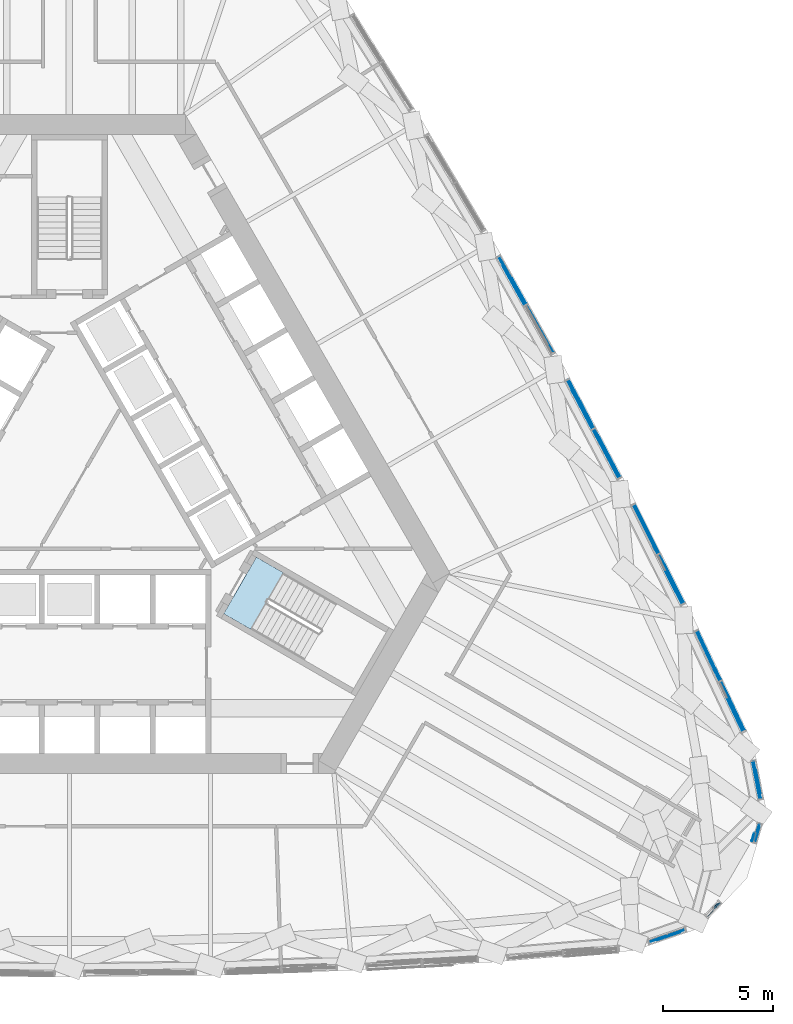
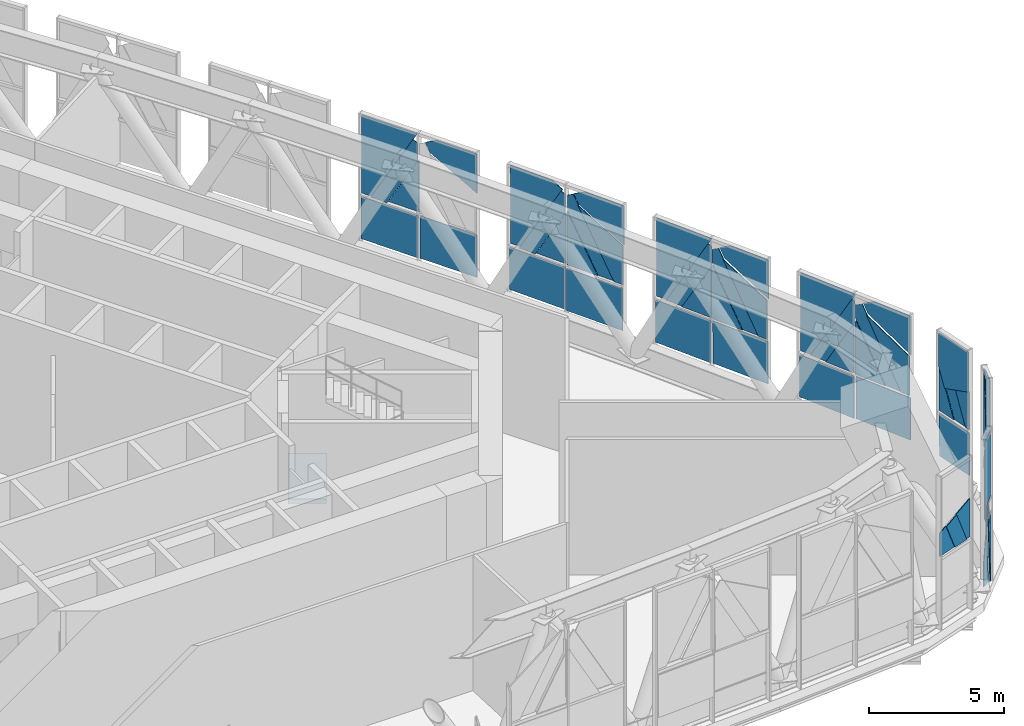
# One storey, part 15 of 33: 48 plates, 1 slab, 3 elements without a shape of their own.
"""IFC4 building model written with IfcOpenShell, lengths in metres."""

from ifc_helpers import new_model, si_unit, direction, frame, origin, place, context, subcontext, project, spatial, polyline, outline, extrude, material, layer, layer_set, type_object, element, aggregate, save


model = new_model("IFC4")

# Units and contexts
model_context = context("Model", 3, precision=1e-05, world=origin(), true_north=direction((0.0, 1.0)))
body_context = subcontext(model_context, "Body", "Model", "MODEL_VIEW")
ifc_project = project(units=[si_unit("LENGTHUNIT", "METRE"), si_unit("AREAUNIT", "SQUARE_METRE"), si_unit("VOLUMEUNIT", "CUBIC_METRE"), si_unit("PLANEANGLEUNIT", "RADIAN"), si_unit("MASSUNIT", "GRAM", prefix="KILO")], contexts=[model_context])

# Site, building, storey
site_placement = place(None, origin())
site = spatial("IfcSite", under=ifc_project, at=site_placement, CompositionType="ELEMENT")
building_placement = place(site_placement, origin())
building = spatial("IfcBuilding", under=site, at=building_placement, Name="Mestral Congress Tower", CompositionType="ELEMENT")
storey_placement = place(building_placement, frame((0.0, 0.0, 134.39990234375)))
storey = spatial("IfcBuildingStorey", under=building, at=storey_placement, Name="L32", CompositionType="ELEMENT", Elevation=134.39990234375)

# Stair, slab
ifc_material_1 = material(Name="Concrete C60/75", Category="concrete")
stair_type = type_object("IfcStairType", Name="Exit stair 1400", PredefinedType="HALF_TURN_STAIR", material=ifc_material_1)
placement = place(storey_placement, origin())
stair = element("IfcStair", 1, at=placement, inside=storey, type_object=stair_type, Name="L32 ST1", PredefinedType="HALF_TURN_STAIR")
ifc_layer_1 = layer(ifc_material_1, 0.199951171875)
ifc_layer_set_1 = layer_set([ifc_layer_1], Name="Concrete C60/75")
slab_type = type_object("IfcSlabType", Name="Exit stair landing 200", PredefinedType="LANDING", material=ifc_layer_set_1)
slab_placement = place(storey_placement, frame((0.0, 0.0, 3.400146484375)))
slab = element("IfcSlab", 2, at=slab_placement, type_object=slab_type, Name="ST1 landing 2", PredefinedType="LANDING", context=body_context, shape_type="SweptSolid", body=[
    extrude(outline(polyline([(6.999755859375, -5.756103515625), (8.48486328125, -3.18408203125), (9.714599609375, -3.89404296875), (8.2294921875, -6.466064453125), (6.999755859375, -5.756103515625)])), origin(), (0.0, 0.0, 1.0), 0.199951171875),
])
aggregate(stair, [slab])

# Curtain wall, plates
ifc_material_2 = material(Name="Clear low-emissivity double glazing", Category="glass")
curtain_wall_type = type_object("IfcCurtainWallType", Name="Facade sky lobby curtain wall", PredefinedType="USERDEFINED", material=ifc_material_2)
curtain_wall_1 = element("IfcCurtainWall", 3, at=placement, inside=storey, type_object=curtain_wall_type, Name="Facade sky lobby curtain wall face 2", ObjectType="CURTAIN WALL", PredefinedType="USERDEFINED")
ifc_material_3 = material(Name="Anodised aluminium", Category="aluminium")
ifc_layer_2 = layer(ifc_material_3, 0.031982421875)
ifc_layer_set_2 = layer_set([ifc_layer_2], Name="Anodised aluminium")
plate_type_1 = type_object("IfcPlateType", Name="Facade sky lobby curtain wall brace cover panel", PredefinedType="CURTAIN_PANEL", material=ifc_layer_set_2)
plate_1_placement = place(storey_placement, frame((29.58203125, -8.82666015625, 3.130126953125), z_axis=(0.904012273017, 0.427501720074, 0.00202226822), x_axis=(0.001832754022, 0.000854808154, -0.999997955156)))
plate_1 = element("IfcPlate", 4, at=plate_1_placement, type_object=plate_type_1, Name="Facade sky lobby curtain wall brace cover panel", PredefinedType="CURTAIN_PANEL", context=body_context, shape_type="SweptSolid", body=[
    extrude(outline(polyline([(0.0, 0.0), (1.917973000652127, 3.1848438816761693e-19), (1.9179991500947662, -2.463436402574981), (2.6805585748710574e-05, -2.4633200667458257), (0.0, 0.0)])), origin(), (0.0, 0.0, -1.0), 0.031982421875),
])
plate_2_placement = place(storey_placement, frame((29.546630859375, -8.843505859375, 5.8193359375), z_axis=(0.904035428233, 0.427452726431, 0.002027601035), x_axis=(0.204424364394, -0.428169040538, -0.880273793752)))
plate_2 = element("IfcPlate", 5, at=plate_2_placement, type_object=plate_type_1, Name="Facade sky lobby curtain wall brace cover panel", PredefinedType="CURTAIN_PANEL", context=body_context, shape_type="SweptSolid", body=[
    extrude(outline(polyline([(0.0, 0.0), (2.8960494616475456, 2.220446049250313e-16), (3.2312455428984252, -0.6218927000549939), (-0.501415098657956, -0.6216424874584308), (-0.5013769824707055, -0.27026611872248407), (0.0, 0.0)])), origin(), (0.0, 0.0, -1.0), 0.031982421875),
])
plate_3_placement = place(storey_placement, frame((28.47265625, -6.56005859375, 3.130126953125), z_axis=(0.903993225178, 0.427542265353, 0.0019647314), x_axis=(0.001757475171, 0.000879403016, -0.999998068964)))
plate_3 = element("IfcPlate", 6, at=plate_3_placement, type_object=plate_type_1, Name="Facade sky lobby curtain wall brace cover panel", PredefinedType="CURTAIN_PANEL", context=body_context, shape_type="SweptSolid", body=[
    extrude(outline(polyline([(0.0, 0.0), (1.9179725562141692, 1.4907779871675686e-19), (1.9178650937079167, -2.4635407712543613), (-0.00010724780825057431, -2.463320069366543), (0.0, 0.0)])), origin(), (0.0, 0.0, -1.0), 0.031982421875),
])
plate_4_placement = place(storey_placement, frame((29.55029296875, -8.775390625, 6.498046875), z_axis=(0.903970060649, 0.427590768048, 0.002065073741), x_axis=(-0.372148915846, 0.784363647374, 0.496264902158)))
plate_4 = element("IfcPlate", 7, at=plate_4_placement, type_object=plate_type_1, Name="Facade sky lobby curtain wall brace cover panel", PredefinedType="CURTAIN_PANEL", context=body_context, shape_type="SweptSolid", body=[
    extrude(outline(polyline([(0.0, 0.0), (0.12692418301839634, 0.0), (0.13341377273666222, -3.7944653509273927), (-0.48864766424293604, -3.438880983909674), (-0.49295449795346646, -0.8624734616305079), (0.0, 0.0)])), origin(), (0.0, 0.0, -1.0), 0.031982421875),
])
plate_5_placement = place(storey_placement, frame((26.774658203125, -3.0634765625, 3.130126953125), z_axis=(0.893779288393, 0.448502247698, 0.002077847065), x_axis=(0.001807403233, 0.001031038292, -0.999997835124)))
plate_5 = element("IfcPlate", 8, at=plate_5_placement, type_object=plate_type_1, Name="Facade sky lobby curtain wall brace cover panel", PredefinedType="CURTAIN_PANEL", context=body_context, shape_type="SweptSolid", body=[
    extrude(outline(polyline([(0.0, 0.0), (1.9179727892307874, 2.439454888092385e-19), (1.9177000599141838, -2.460332495814197), (-0.0002729188588254817, -2.460004789630587), (0.0, 0.0)])), origin(), (0.0, 0.0, -1.0), 0.031982421875),
])
plate_6_placement = place(storey_placement, frame((26.739501953125, -3.0810546875, 5.773681640625), z_axis=(0.893730589679, 0.448599796666, 0.001963543744), x_axis=(0.216014422745, -0.426514020309, -0.878307212566)))
plate_6 = element("IfcPlate", 9, at=plate_6_placement, type_object=plate_type_1, Name="Facade sky lobby curtain wall brace cover panel", PredefinedType="CURTAIN_PANEL", context=body_context, shape_type="SweptSolid", body=[
    extrude(outline(polyline([(0.0, 0.0), (2.8505538721116217, 0.0), (3.1885472851258254, -0.6209299814389222), (-0.5470310335722647, -0.6209726449430625), (-0.5470675642894064, -0.2976609598047033), (0.0, 0.0)])), origin(), (0.0, 0.0, -1.0), 0.031982421875),
])
plate_7_placement = place(storey_placement, frame((25.61376953125, -0.826171875, 3.130126953125), z_axis=(0.893749569825, 0.448561853832, 0.001992416873), x_axis=(0.001782073856, 0.000891036928, -0.999998015131)))
plate_7 = element("IfcPlate", 10, at=plate_7_placement, type_object=plate_type_1, Name="Facade sky lobby curtain wall brace cover panel", PredefinedType="CURTAIN_PANEL", context=body_context, shape_type="SweptSolid", body=[
    extrude(outline(polyline([(0.0, 0.0), (1.9179725569242465, -1.1011428314305904e-19), (1.9179799532268709, -2.4601143080706698), (7.396302624523756e-06, -2.4601143080706698), (0.0, 0.0)])), origin(), (0.0, 0.0, -1.0), 0.031982421875),
])
plate_8_placement = place(storey_placement, frame((26.74169921875, -3.0126953125, 6.474853515625), z_axis=(0.893738741249, 0.448583553319, 0.001964200384), x_axis=(-0.390899107113, 0.77664773435, 0.49397994371)))
plate_8 = element("IfcPlate", 11, at=plate_8_placement, type_object=plate_type_1, Name="Facade sky lobby curtain wall brace cover panel", PredefinedType="CURTAIN_PANEL", context=body_context, shape_type="SweptSolid", body=[
    extrude(outline(polyline([(0.0, 0.0), (0.1616140736794882, 0.0), (0.1631314014774139, -3.778639476403414), (-0.4574372653391716, -3.426070308969159), (-0.4583813810168826, -0.8065860375859688), (0.0, 0.0)])), origin(), (0.0, 0.0, -1.0), 0.031982421875),
])
plate_9_placement = place(storey_placement, frame((23.7744140625, 2.597900390625, 3.130126953125), z_axis=(0.883024703116, 0.469322395166, 0.001965472436), x_axis=(0.001730785894, 0.000931432089, -0.999998068405)))
plate_9 = element("IfcPlate", 12, at=plate_9_placement, type_object=plate_type_1, Name="Facade sky lobby curtain wall brace cover panel", PredefinedType="CURTAIN_PANEL", context=body_context, shape_type="SweptSolid", body=[
    extrude(outline(polyline([(0.0, 0.0), (1.9179721302816797, -3.3881317890172014e-20), (1.9179474072710514, -2.460221728819477), (-2.5372966190628874e-05, -2.4603227305479813), (0.0, 0.0)])), origin(), (0.0, 0.0, -1.0), 0.031982421875),
])
plate_10_placement = place(storey_placement, frame((23.82958984375, 2.62744140625, 5.726318359375), z_axis=(0.883015130825, 0.469340361922, 0.001975703628), x_axis=(0.227510384067, -0.424347698115, -0.876451970302)))
plate_10 = element("IfcPlate", 13, at=plate_10_placement, type_object=plate_type_1, Name="Facade sky lobby curtain wall brace cover panel", PredefinedType="CURTAIN_PANEL", context=body_context, shape_type="SweptSolid", body=[
    extrude(outline(polyline([(0.0, 0.0), (2.802548348122359, 2.220446049250313e-16), (3.1432026161417586, -0.6200962048652234), (-0.596849710876163, -0.6203038403817872), (-0.5966947127964014, -0.32801352341590745), (0.0, 0.0)])), origin(), (0.0, 0.0, -1.0), 0.031982421875),
])
plate_11_placement = place(storey_placement, frame((22.62158203125, 4.83935546875, 3.130126953125), z_axis=(0.883024703116, 0.469322395166, 0.001965472436), x_axis=(0.001730785894, 0.000931432089, -0.999998068405)))
plate_11 = element("IfcPlate", 14, at=plate_11_placement, type_object=plate_type_1, Name="Facade sky lobby curtain wall brace cover panel", PredefinedType="CURTAIN_PANEL", context=body_context, shape_type="SweptSolid", body=[
    extrude(outline(polyline([(0.0, 0.0), (1.9179721302816797, -3.3881317890172014e-20), (1.9179474072710514, -2.460221728819477), (-2.5372966190628874e-05, -2.4603227305479813), (0.0, 0.0)])), origin(), (0.0, 0.0, -1.0), 0.031982421875),
])
plate_12_placement = place(storey_placement, frame((23.740234375, 2.647705078125, 6.453369140625), z_axis=(0.883051751726, 0.469271447408, 0.001977984289), x_axis=(-0.409574682604, 0.768646264134, 0.49135679501)))
plate_12 = element("IfcPlate", 15, at=plate_12_placement, type_object=plate_type_1, Name="Facade sky lobby curtain wall brace cover panel", PredefinedType="CURTAIN_PANEL", context=body_context, shape_type="SweptSolid", body=[
    extrude(outline(polyline([(0.0, 0.0), (0.1972576165986768, -1.3877787807814457e-17), (0.195570618372523, -3.7653382793089256), (-0.42377674062943216, -3.4159286575930534), (-0.4227765759081448, -0.7493113211510941), (0.0, 0.0)])), origin(), (0.0, 0.0, -1.0), 0.031982421875),
])
plate_13_placement = place(storey_placement, frame((20.76171875, 8.252685546875, 3.130126953125), z_axis=(0.87178838352, 0.489878583409, 0.001996966885), x_axis=(0.001703154564, 0.001045509132, -0.999998003086)))
plate_13 = element("IfcPlate", 16, at=plate_13_placement, type_object=plate_type_1, Name="Facade sky lobby curtain wall brace cover panel", PredefinedType="CURTAIN_PANEL", context=body_context, shape_type="SweptSolid", body=[
    extrude(outline(polyline([(0.0, 0.0), (1.9179723675104627, 4.0657581468206416e-19), (1.917782835372494, -2.4602567331468617), (-0.00018994794718856173, -2.4601371336124354), (0.0, 0.0)])), origin(), (0.0, 0.0, -1.0), 0.031982421875),
])
plate_14_placement = place(storey_placement, frame((19.49755859375, 10.43310546875, 3.130126953125), z_axis=(0.871809475749, 0.489840816426, 0.002052451526), x_axis=(0.001782073639, 0.001018327794, -0.999997893609)))
plate_14 = element("IfcPlate", 17, at=plate_14_placement, type_object=plate_type_1, Name="Facade sky lobby curtain wall brace cover panel", PredefinedType="CURTAIN_PANEL", context=body_context, shape_type="SweptSolid", body=[
    extrude(outline(polyline([(0.0, 0.0), (1.917972790000996, 1.6263032587282567e-19), (1.9179362435689395, -2.460137142975671), (-3.654643205643331e-05, -2.460137142975671), (0.0, 0.0)])), origin(), (0.0, 0.0, -1.0), 0.031982421875),
])
plate_15_placement = place(storey_placement, frame((20.66552734375, 8.267578125, 6.435302734375), z_axis=(0.871756188052, 0.489935614195, 0.002059742074), x_axis=(-0.428434008613, 0.760271814525, 0.488294038775)))
plate_15 = element("IfcPlate", 18, at=plate_15_placement, type_object=plate_type_1, Name="Facade sky lobby curtain wall brace cover panel", PredefinedType="CURTAIN_PANEL", context=body_context, shape_type="SweptSolid", body=[
    extrude(outline(polyline([(0.0, 0.0), (0.22999443762592703, -1.3877787807814457e-17), (0.22796479096898703, -3.7546516220043626), (-0.39103669839816746, -3.408297726659832), (-0.38965691096765426, -0.696230773286391), (0.0, 0.0)])), origin(), (0.0, 0.0, -1.0), 0.031982421875),
])

curtain_wall_2 = element("IfcCurtainWall", 19, at=placement, inside=storey, type_object=curtain_wall_type, Name="Facade sky lobby curtain wall corner 1", ObjectType="CURTAIN WALL", PredefinedType="USERDEFINED")
plate_16_placement = place(storey_placement, frame((27.111572265625, -20.433837890625, 3.27001953125), z_axis=(0.325949088892, -0.945385241731, 0.001983977676), x_axis=(-0.354318287825, -0.12021538478, 0.927365522421)))
plate_16 = element("IfcPlate", 20, at=plate_16_placement, type_object=plate_type_1, Name="Facade sky lobby curtain wall brace cover panel", PredefinedType="CURTAIN_PANEL", context=body_context, shape_type="SweptSolid", body=[
    extrude(outline(polyline([(0.0, 0.0), (1.2836683058406153, 1.6653345369377348e-16), (1.2837779810652468, -0.6189679306693446), (-0.24967538173289008, -0.6188414573556158), (0.0, 0.0)])), origin(), (0.0, 0.0, -1.0), 0.031982421875),
])
plate_17_placement = place(storey_placement, frame((29.468994140625, -18.967529296875, 0.0), z_axis=(0.723491556562, -0.690330332089, 0.002000045394), x_axis=(-0.066643209673, -0.066960261136, 0.995527501395)))
plate_17 = element("IfcPlate", 21, at=plate_17_placement, type_object=plate_type_1, Name="Facade sky lobby curtain wall brace cover panel", PredefinedType="CURTAIN_PANEL", context=body_context, shape_type="SweptSolid", body=[
    extrude(outline(polyline([(0.0, 0.0), (2.708156983367563, 0.0), (3.126743822287302, -0.18387824591687693), (3.107742772008736, -0.3841509096428104), (0.00012340533254771684, -0.08916807526350432), (0.0, 0.0)])), origin(), (0.0, 0.0, -1.0), 0.031982421875),
])
plate_18_placement = place(storey_placement, frame((30.982177734375, -16.0771484375, 3.130126953125), z_axis=(0.959725176651, -0.28093370102, 0.001959829983), x_axis=(0.280934241064, 0.959727019625, -2.76029e-07)))
plate_18 = element("IfcPlate", 22, at=plate_18_placement, type_object=plate_type_1, Name="Facade sky lobby curtain wall brace cover panel", PredefinedType="CURTAIN_PANEL", context=body_context, shape_type="SweptSolid", body=[
    extrude(outline(polyline([(0.0, 0.0), (0.3856642980428389, 0.0), (0.08854203296782281, -3.130132940007038), (-0.00022750611874239562, -3.121588132679586), (0.0, 0.0)])), origin(), (0.0, 0.0, -1.0), 0.031982421875),
])
plate_19_placement = place(storey_placement, frame((31.06201171875, -12.459716796875, 3.130126953125), z_axis=(0.981697804288, 0.190434719682, 0.00200962578), x_axis=(0.001975318409, 0.000369974426, -0.999997980616)))
plate_19 = element("IfcPlate", 23, at=plate_19_placement, type_object=plate_type_1, Name="Facade sky lobby curtain wall brace cover panel", PredefinedType="CURTAIN_PANEL", context=body_context, shape_type="SweptSolid", body=[
    extrude(outline(polyline([(0.0, 0.0), (1.9179728639495197, 5.082197683525802e-20), (1.9179946563416217, -1.6992873912601127), (2.2274647573103184e-05, -1.6993338841992318), (0.0, 0.0)])), origin(), (0.0, 0.0, -1.0), 0.031982421875),
])
plate_20_placement = place(storey_placement, frame((31.379150390625, -13.91748046875, 3.27001953125), z_axis=(0.981716005073, 0.190339489661, 0.002136365624), x_axis=(-0.073137900802, 0.366814849585, 0.92741453169)))
plate_20 = element("IfcPlate", 24, at=plate_20_placement, type_object=plate_type_1, Name="Facade sky lobby curtain wall brace cover panel", PredefinedType="CURTAIN_PANEL", context=body_context, shape_type="SweptSolid", body=[
    extrude(outline(polyline([(0.0, 0.0), (1.5334231828631721, 0.0), (1.5332958881554033, -0.6191262606137897), (0.24964911247674063, -0.6190118625068645), (0.0, 0.0)])), origin(), (0.0, 0.0, -1.0), 0.031982421875),
])

# Plate
ifc_layer_3 = layer(ifc_material_2, 0.031982421875)
ifc_layer_set_3 = layer_set([ifc_layer_3], Name="Clear low-emissivity double glazing")
plate_type_2 = type_object("IfcPlateType", Name="Facade sky lobby curtain wall panel", PredefinedType="CURTAIN_PANEL", material=ifc_layer_set_3)
plate_21_placement = place(storey_placement, frame((30.10791015625, -10.09814453125, 3.27001953125), z_axis=(0.904062859766, 0.427394729082, 0.002022657914), x_axis=(-0.204419620121, 0.428240568494, 0.88024010043)))
plate_21 = element("IfcPlate", 25, at=plate_21_placement, type_object=plate_type_2, Name="Sky lobby glass unit", PredefinedType="CURTAIN_PANEL", context=body_context, shape_type="SweptSolid", body=[
    extrude(outline(polyline([(0.0, 0.0), (2.7730139177680146, -2.220446049250313e-16), (2.7110232494446422, -0.09955244251897377), (0.6521361960636617, -1.2097091697015732), (0.0, 0.0)])), origin(), (0.0, 0.0, -1.0), 0.031982421875),
])

plate_22_placement = place(storey_placement, frame((30.659423828125, -11.0419921875, 6.81005859375), z_axis=(0.90399023837, 0.427548252713, 0.002034830323), x_axis=(-0.427549138064, 0.903992109778, 1.13627e-07)))
plate_22 = element("IfcPlate", 26, at=plate_22_placement, type_object=plate_type_2, Name="Sky lobby glass unit", PredefinedType="CURTAIN_PANEL", context=body_context, shape_type="SweptSolid", body=[
    extrude(outline(polyline([(0.0, 0.0), (1.682036772566741, 0.0), (2.1538333007056436, -0.2543952834609754), (1.9430768762231312, -0.6450210525906337), (-3.296029992969567e-05, -1.7602573746092598), (0.0, 0.0)])), origin(), (0.0, 0.0, -1.0), 0.031982421875),
])

plate_23_placement = place(storey_placement, frame((29.737548828125, -9.328369140625, 6.1650390625), z_axis=(0.904016866545, 0.427492237012, 0.001972890528), x_axis=(0.204429044977, -0.428243318643, -0.880236573659)))
plate_23 = element("IfcPlate", 27, at=plate_23_placement, type_object=plate_type_2, Name="Sky lobby glass unit", PredefinedType="CURTAIN_PANEL", context=body_context, shape_type="SweptSolid", body=[
    extrude(outline(polyline([(0.0, 0.0), (3.288910787492631, -2.220446049250313e-16), (3.470499713921164, -0.3368404625015293), (1.9038462130300287, -1.1813783416118675), (0.0, 0.0)])), origin(), (0.0, 0.0, -1.0), 0.031982421875),
])

plate_24_placement = place(storey_placement, frame((29.58056640625, -8.760986328125, 6.81005859375), z_axis=(0.904017396923, 0.427490954586, 0.002007438076), x_axis=(-0.4274918159, 0.904019218457, -2.3471e-08)))
plate_24 = element("IfcPlate", 28, at=plate_24_placement, type_object=plate_type_2, Name="Sky lobby glass unit", PredefinedType="CURTAIN_PANEL", context=body_context, shape_type="SweptSolid", body=[
    extrude(outline(polyline([(0.0, 0.0), (2.4632156966595518, 0.0), (2.4633714102713182, -3.540046172803085), (1.9989026841795927, -3.5400460277072185), (-0.00010436677252224094, -0.05737337433343766), (0.0, 0.0)])), origin(), (0.0, 0.0, -1.0), 0.031982421875),
])

plate_25_placement = place(storey_placement, frame((29.525390625, -8.787109375, 3.27001953125), z_axis=(0.904069203351, 0.427381630137, 0.001953912411), x_axis=(-0.001748057407, -0.000874028703, 0.999998090183)))
plate_25 = element("IfcPlate", 29, at=plate_25_placement, type_object=plate_type_2, Name="Sky lobby glass unit", PredefinedType="CURTAIN_PANEL", context=body_context, shape_type="SweptSolid", body=[
    extrude(outline(polyline([(0.0, 0.0), (2.2346234083473533, -4.0657581468206416e-20), (-5.5266951699009526e-05, -1.2824478585711316), (0.0, 0.0)])), origin(), (0.0, 0.0, -1.0), 0.031982421875),
])

plate_26_placement = place(storey_placement, frame((27.90185546875, -5.250244140625, 6.81005859375), z_axis=(0.893762073663, 0.448536873644, 0.002007153203), x_axis=(-0.448537777365, 0.893763873893, 1.20826e-07)))
plate_26 = element("IfcPlate", 30, at=plate_26_placement, type_object=plate_type_2, Name="Sky lobby glass unit", PredefinedType="CURTAIN_PANEL", context=body_context, shape_type="SweptSolid", body=[
    extrude(outline(polyline([(0.0, 0.0), (1.7001997967771214, -2.168404344971009e-19), (2.1762371526696764, -0.2590341539578032), (1.9620188255245123, -0.652833498485791), (-0.00011457104550566746, -1.768313997265518), (0.0, 0.0)])), origin(), (0.0, 0.0, -1.0), 0.031982421875),
])

plate_27_placement = place(storey_placement, frame((26.931884765625, -3.5419921875, 6.1572265625), z_axis=(0.893827757659, 0.448405630484, 0.002080910309), x_axis=(0.216023388323, -0.42653355261, -0.878295522131)))
plate_27 = element("IfcPlate", 31, at=plate_27_placement, type_object=plate_type_2, Name="Sky lobby glass unit", PredefinedType="CURTAIN_PANEL", context=body_context, shape_type="SweptSolid", body=[
    extrude(outline(polyline([(0.0, 0.0), (3.2872844418925506, -2.220446049250313e-16), (3.4737499348530263, -0.342537778447799), (1.9176920312189714, -1.1897205925054442), (0.0, 0.0)])), origin(), (0.0, 0.0, -1.0), 0.031982421875),
])

plate_28_placement = place(storey_placement, frame((26.72412109375, -3.126220703125, 5.7119140625), z_axis=(0.893757224005, 0.448546622826, 0.001987886058), x_axis=(-0.21909776259, 0.440424563896, -0.870644803548)))
plate_28 = element("IfcPlate", 32, at=plate_28_placement, type_object=plate_type_2, Name="Sky lobby glass unit", PredefinedType="CURTAIN_PANEL", context=body_context, shape_type="SweptSolid", body=[
    extrude(outline(polyline([(0.0, 0.0), (0.06814059378402183, 3.469446951953614e-18), (2.142569743425758, -1.1719205357992457), (1.4721842583657936, -2.358458439431617), (0.0, 0.0)])), origin(), (0.0, 0.0, -1.0), 0.031982421875),
])

plate_29_placement = place(storey_placement, frame((26.771484375, -2.997802734375, 6.81005859375), z_axis=(0.893736746646, 0.448587259082, 0.002024520706), x_axis=(-0.448588178289, 0.893738578276, -5.7614e-08)))
plate_29 = element("IfcPlate", 33, at=plate_29_placement, type_object=plate_type_2, Name="Sky lobby glass unit", PredefinedType="CURTAIN_PANEL", context=body_context, shape_type="SweptSolid", body=[
    extrude(outline(polyline([(0.0, 0.0), (2.4601143070856186, 0.0), (2.4601036001231282, -3.540046175537078), (2.0085220430258124, -3.5400463432911793), (0.0, 0.0)])), origin(), (0.0, 0.0, -1.0), 0.031982421875),
])

plate_30_placement = place(storey_placement, frame((26.717041015625, -3.025146484375, 3.27001953125), z_axis=(0.893745553078, 0.448569761766, 0.002013748525), x_axis=(-0.001822661682, -0.000857723145, 0.999997971106)))
plate_30 = element("IfcPlate", 34, at=plate_30_placement, type_object=plate_type_2, Name="Sky lobby glass unit", PredefinedType="CURTAIN_PANEL", context=body_context, shape_type="SweptSolid", body=[
    extrude(outline(polyline([(0.0, 0.0), (2.277104229378924, 1.2197274440461925e-19), (6.604112224117505e-05, -1.2948027664302284), (0.0, 0.0)])), origin(), (0.0, 0.0, -1.0), 0.031982421875),
])

plate_31_placement = place(storey_placement, frame((24.437255859375, 1.422119140625, 3.27001953125), z_axis=(0.883058070577, 0.469259463493, 0.00199997745), x_axis=(-0.227469232297, 0.424318790242, 0.876476646925)))
plate_31 = element("IfcPlate", 35, at=plate_31_placement, type_object=plate_type_2, Name="Sky lobby glass unit", PredefinedType="CURTAIN_PANEL", context=body_context, shape_type="SweptSolid", body=[
    extrude(outline(polyline([(0.0, 0.0), (2.7871492054062923, 2.220446049250313e-16), (2.7789546158085914, -0.012972460462020274), (0.6496960946660192, -1.1827914081808968), (0.0, 0.0)])), origin(), (0.0, 0.0, -1.0), 0.031982421875),
])

plate_32_placement = place(storey_placement, frame((25.012451171875, 0.4697265625, 6.81005859375), z_axis=(0.88304304411, 0.4692876441, 0.002022212775), x_axis=(-0.469288603674, 0.883044849632, 1.8007e-08)))
plate_32 = element("IfcPlate", 36, at=plate_32_placement, type_object=plate_type_2, Name="Sky lobby glass unit", PredefinedType="CURTAIN_PANEL", context=body_context, shape_type="SweptSolid", body=[
    extrude(outline(polyline([(0.0, 0.0), (1.7271531591428608, 0.0), (2.204305871143621, -0.26196358569440137), (1.9871651473136838, -0.6572279051460054), (1.963648170582741e-05, -1.7771032651333627), (0.0, 0.0)])), origin(), (0.0, 0.0, -1.0), 0.031982421875),
])

plate_33_placement = place(storey_placement, frame((24.02099609375, 2.193115234375, 6.15283203125), z_axis=(0.882983056775, 0.469400607944, 0.001997676073), x_axis=(0.227530547755, -0.424274463424, -0.876482190078)))
plate_33 = element("IfcPlate", 37, at=plate_33_placement, type_object=plate_type_2, Name="Sky lobby glass unit", PredefinedType="CURTAIN_PANEL", context=body_context, shape_type="SweptSolid", body=[
    extrude(outline(polyline([(0.0, 0.0), (3.2890712066030576, 0.0), (3.483304640976521, -0.3536172047911297), (1.9381225437030123, -1.2023696943887092), (0.0, 0.0)])), origin(), (0.0, 0.0, -1.0), 0.031982421875),
])

plate_34_placement = place(storey_placement, frame((23.805908203125, 2.6826171875, 3.27001953125), z_axis=(0.88303665245, 0.46929967361, 0.002021578576), x_axis=(-0.001786649003, -0.000945873002, 0.999997956603)))
plate_34 = element("IfcPlate", 38, at=plate_34_placement, type_object=plate_type_2, Name="Sky lobby glass unit", PredefinedType="CURTAIN_PANEL", context=body_context, shape_type="SweptSolid", body=[
    extrude(outline(polyline([(0.0, 0.0), (2.3230027936926017, -7.707999820014133e-20), (4.233643805613609e-06, -1.3093993710386895), (0.0, 0.0)])), origin(), (0.0, 0.0, -1.0), 0.031982421875),
])

plate_35_placement = place(storey_placement, frame((23.53271484375, 3.25390625, 6.81005859375), z_axis=(0.883028552494, 0.469315092432, 0.001979771787), x_axis=(-0.469316012131, 0.883030283036, -2.4717e-08)))
plate_35 = element("IfcPlate", 39, at=plate_35_placement, type_object=plate_type_2, Name="Sky lobby glass unit", PredefinedType="CURTAIN_PANEL", context=body_context, shape_type="SweptSolid", body=[
    extrude(outline(polyline([(0.0, 0.0), (1.8275237601268879, 0.0), (1.827677539926431, -3.5400459708275496), (1.3880803279447735, -3.5400459566221034), (-0.4609084580102695, -0.2597662150384195), (0.0, 0.0)])), origin(), (0.0, 0.0, -1.0), 0.031982421875),
])

plate_36_placement = place(storey_placement, frame((20.865966796875, 8.049072265625, 6.546875), z_axis=(0.871855179938, 0.489759628442, 0.002012849776), x_axis=(0.23906754205, -0.421986620424, -0.874513580524)))
plate_36 = element("IfcPlate", 40, at=plate_36_placement, type_object=plate_type_2, Name="Sky lobby glass unit", PredefinedType="CURTAIN_PANEL", context=body_context, shape_type="SweptSolid", body=[
    extrude(outline(polyline([(0.0, 0.0), (0.45198143519238676, 0.0), (2.4116055028076686, -1.2143625972390601), (0.852132562413902, -2.079157675152435), (0.0003417826431363624, -0.5432658156448495), (0.0, 0.0)])), origin(), (0.0, 0.0, -1.0), 0.031982421875),
])

plate_37_placement = place(storey_placement, frame((19.51904296875, 10.4453125, 6.81005859375), z_axis=(0.8718336106, 0.489798034766, 0.002010116354), x_axis=(0.001770362403, 0.000952741359, -0.999997979048)))
plate_37 = element("IfcPlate", 41, at=plate_37_placement, type_object=plate_type_2, Name="Sky lobby glass unit", PredefinedType="CURTAIN_PANEL", context=body_context, shape_type="SweptSolid", body=[
    extrude(outline(polyline([(0.0, 0.0), (3.540046402344523, 2.710505431213761e-19), (3.540061827672932, -0.42783496339363025), (8.798905846638463e-05, -2.4063552328990947), (0.0, 0.0)])), origin(), (0.0, 0.0, -1.0), 0.031982421875),
])

plate_38_placement = place(storey_placement, frame((20.760009765625, 8.320556640625, 3.27001953125), z_axis=(0.871795382732, 0.489865976963, 0.002033534214), x_axis=(-0.001753115895, -0.001031244644, 0.999997931557)))
plate_38 = element("IfcPlate", 42, at=plate_38_placement, type_object=plate_type_2, Name="Sky lobby glass unit", PredefinedType="CURTAIN_PANEL", context=body_context, shape_type="SweptSolid", body=[
    extrude(outline(polyline([(0.0, 0.0), (2.3674365375315127, -6.776263578034403e-20), (-5.324908258423503e-05, -1.3232027719952688), (0.0, 0.0)])), origin(), (0.0, 0.0, -1.0), 0.031982421875),
])

aggregate(curtain_wall_1, [plate_1, plate_21, plate_22, plate_23, plate_2, plate_3, plate_24, plate_25, plate_4, plate_5, plate_26, plate_27, plate_28, plate_6, plate_7, plate_29, plate_30, plate_8, plate_9, plate_31, plate_32, plate_33, plate_10, plate_11, plate_34, plate_35, plate_12, plate_13, plate_36, plate_14, plate_37, plate_38, plate_15])

plate_39_placement = place(storey_placement, frame((26.3212890625, -20.67041015625, 3.27001953125), z_axis=(0.326067377592, -0.945344149289, 0.002122421775), x_axis=(-0.000462976962, 0.002085436557, 0.999997718301)))
plate_39 = element("IfcPlate", 43, at=plate_39_placement, type_object=plate_type_2, Name="Sky lobby glass unit", PredefinedType="CURTAIN_PANEL", context=body_context, shape_type="SweptSolid", body=[
    extrude(outline(polyline([(0.0, 0.0), (1.0517602210260142, -2.168404344971009e-19), (1.1905156520443856, -0.34354594778527303), (0.00019976640277105266, -0.8243521028435739), (0.0, 0.0)])), origin(), (0.0, 0.0, -1.0), 0.031982421875),
])

plate_40_placement = place(storey_placement, frame((27.9267578125, -20.11328125, 5.00732421875), z_axis=(0.325811000748, -0.945432734612, 0.002033744403), x_axis=(0.000727934602, -0.001900263261, -0.999997929553)))
plate_40 = element("IfcPlate", 44, at=plate_40_placement, type_object=plate_type_2, Name="Sky lobby glass unit", PredefinedType="CURTAIN_PANEL", context=body_context, shape_type="SweptSolid", body=[
    extrude(outline(polyline([(0.0, 0.0), (1.7373080102041538, -9.486769009248164e-20), (1.737293919831108, -0.20792250216802455), (0.31513192677136864, -0.7816034557314886), (0.0, 0.0)])), origin(), (0.0, 0.0, -1.0), 0.031982421875),
])

plate_41_placement = place(storey_placement, frame((28.90966796875, -19.454345703125, 0.2373046875), z_axis=(0.723490624701, -0.690331307402, 0.002000497456), x_axis=(-0.001535705077, 0.001288403412, 0.999997990811)))
plate_41 = element("IfcPlate", 45, at=plate_41_placement, type_object=plate_type_2, Name="Sky lobby glass unit", PredefinedType="CURTAIN_PANEL", context=body_context, shape_type="SweptSolid", body=[
    extrude(outline(polyline([(0.0, 0.0), (1.00049009340627, 1.0842021724855044e-19), (2.4586833540365793, -0.48290056987256114), (-0.23739988584387067, -0.7385127057859292), (-0.23739708616297076, -0.7165821367729125), (0.0, 0.0)])), origin(), (0.0, 0.0, -1.0), 0.031982421875),
])

plate_42_placement = place(storey_placement, frame((29.5205078125, -18.89404296875, 6.81005859375), z_axis=(0.723449920325, -0.690374018197, 0.001981862869), x_axis=(0.001401828809, -0.001401712707, -0.999998035037)))
plate_42 = element("IfcPlate", 46, at=plate_42_placement, type_object=plate_type_2, Name="Sky lobby glass unit", PredefinedType="CURTAIN_PANEL", context=body_context, shape_type="SweptSolid", body=[
    extrude(outline(polyline([(0.0, 0.0), (2.9660702607099494, -1.3552527156068805e-19), (3.0447219915136277, -0.8269682506759357), (3.826178252035574e-05, -0.827140437806779), (0.0, 0.0)])), origin(), (0.0, 0.0, -1.0), 0.031982421875),
])

plate_43_placement = place(storey_placement, frame((31.330078125, -15.317138671875, 3.130126953125), z_axis=(0.959577529417, -0.281437446627, 0.001982088203), x_axis=(0.001881729239, -0.000626850524, -0.999998033075)))
plate_43 = element("IfcPlate", 47, at=plate_43_placement, type_object=plate_type_2, Name="Sky lobby glass unit", PredefinedType="CURTAIN_PANEL", context=body_context, shape_type="SweptSolid", body=[
    extrude(outline(polyline([(0.0, 0.0), (3.130133046474142, -5.421010862427522e-19), (3.1301862126458353, -0.7383308569744259), (3.168590749156485e-05, -0.4414360891061096), (0.0, 0.0)])), origin(), (0.0, 0.0, -1.0), 0.031982421875),
])

plate_44_placement = place(storey_placement, frame((31.322998046875, -15.315185546875, 6.81005859375), z_axis=(0.959676952488, -0.281098530337, 0.001939872755), x_axis=(0.001859953439, -0.000551104468, -0.999998118427)))
plate_44 = element("IfcPlate", 48, at=plate_44_placement, type_object=plate_type_2, Name="Sky lobby glass unit", PredefinedType="CURTAIN_PANEL", context=body_context, shape_type="SweptSolid", body=[
    extrude(outline(polyline([(0.0, 0.0), (3.54004573846843, 2.812149384884277e-19), (3.5400483145852433, -0.42815458647068444), (5.724494472349501e-07, -0.09208989519821754), (0.0, 0.0)])), origin(), (0.0, 0.0, -1.0), 0.031982421875),
])

plate_45_placement = place(storey_placement, frame((31.32958984375, -15.4130859375, 6.81005859375), z_axis=(0.959557853866, -0.281504241801, 0.002021615991), x_axis=(-0.024677921408, -0.091268441668, -0.995520502928)))
plate_45 = element("IfcPlate", 49, at=plate_45_placement, type_object=plate_type_2, Name="Sky lobby glass unit", PredefinedType="CURTAIN_PANEL", context=body_context, shape_type="SweptSolid", body=[
    extrude(outline(polyline([(0.0, 0.0), (3.022327827930123, 5.551115123125783e-17), (3.0222721202113263, -0.4514120991429192), (0.06947674009060557, -0.73171946362229), (0.0, 0.0)])), origin(), (0.0, 0.0, -1.0), 0.031982421875),
])

plate_46_placement = place(storey_placement, frame((31.061767578125, -12.459716796875, 3.27001953125), z_axis=(0.981690259254, 0.190472793211, 0.002085649047), x_axis=(0.190473207484, -0.981692394404, 0.0)))
plate_46 = element("IfcPlate", 50, at=plate_46_placement, type_object=plate_type_2, Name="Sky lobby glass unit", PredefinedType="CURTAIN_PANEL", context=body_context, shape_type="SweptSolid", body=[
    extrude(outline(polyline([(0.0, 0.0), (0.8241706219402427, 0.0), (0.0001681457642551485, -2.042729052246016), (0.0, 0.0)])), origin(), (0.0, 0.0, -1.0), 0.031982421875),
])

plate_47_placement = place(storey_placement, frame((31.021484375, -12.4677734375, 6.81005859375), z_axis=(0.981704582048, 0.190399486701, 0.00203692163), x_axis=(0.001979159706, 0.000493526757, -0.999997919677)))
plate_47 = element("IfcPlate", 51, at=plate_47_placement, type_object=plate_type_2, Name="Sky lobby glass unit", PredefinedType="CURTAIN_PANEL", context=body_context, shape_type="SweptSolid", body=[
    extrude(outline(polyline([(0.0, 0.0), (1.4973174980164519, 1.3552527156068805e-19), (2.349577128402135, -0.3438653966969844), (1.8025551575071892, -1.6994597214287974), (-0.00018307659201774267, -1.6992873847436134), (0.0, 0.0)])), origin(), (0.0, 0.0, -1.0), 0.031982421875),
])

plate_48_placement = place(storey_placement, frame((31.385498046875, -14.128173828125, 3.27001953125), z_axis=(0.981621493164, 0.19082862238, 0.00191860358), x_axis=(-0.001902341915, -0.000268410091, 0.999998154524)))
plate_48 = element("IfcPlate", 52, at=plate_48_placement, type_object=plate_type_2, Name="Sky lobby glass unit", PredefinedType="CURTAIN_PANEL", context=body_context, shape_type="SweptSolid", body=[
    extrude(outline(polyline([(0.0, 0.0), (1.737308114550601, -8.131516293641283e-20), (1.4221995680361188, -0.7815904647578699), (2.092062884283489e-05, -0.20794487233217177), (0.0, 0.0)])), origin(), (0.0, 0.0, -1.0), 0.031982421875),
])

aggregate(curtain_wall_2, [plate_39, plate_40, plate_16, plate_41, plate_17, plate_42, plate_43, plate_18, plate_44, plate_45, plate_19, plate_46, plate_47, plate_48, plate_20])

save(model, "model.ifc")
